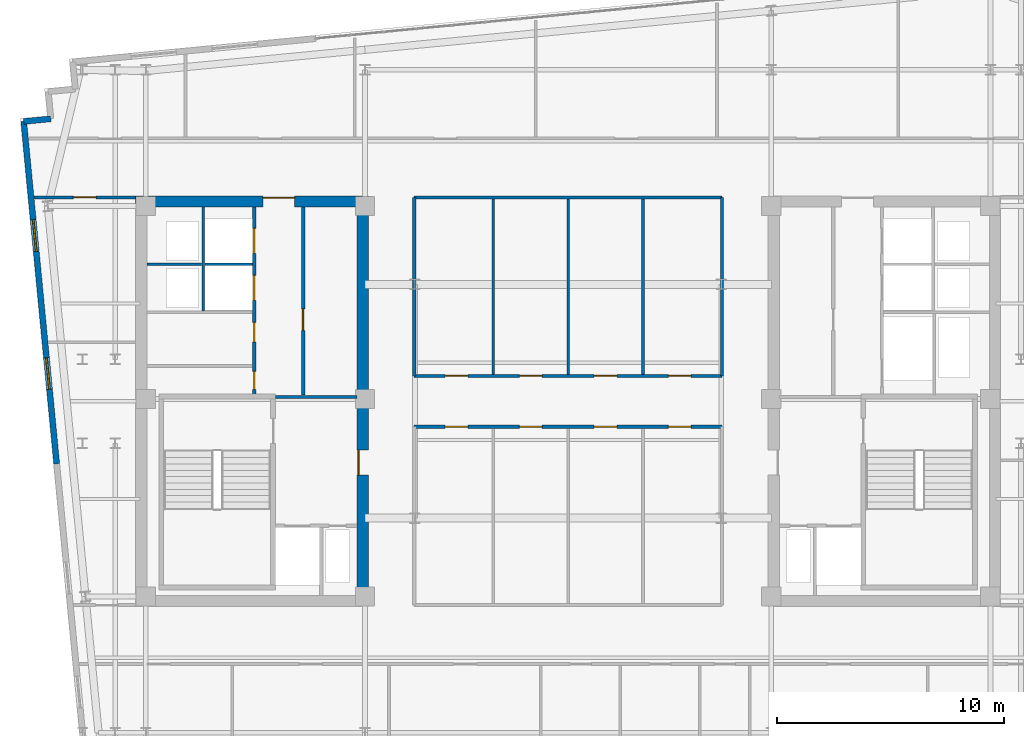
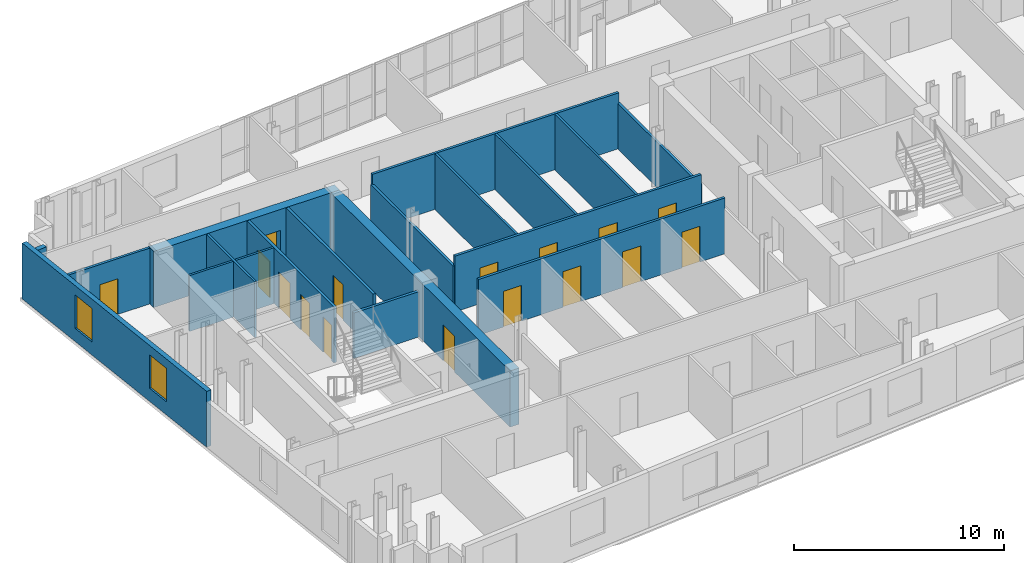
# One storey, part 7 of 11: 19 walls, 16 doors, 2 windows, 18 openings.
"""IFC4 building model written with IfcOpenShell, lengths in metres."""

import ifcopenshell
import ifcopenshell.guid

model = None  # the IFC model being written
_history = None  # IfcOwnerHistory: only IFC2X3 demands one
_inside = {}  # id of a spatial element -> (the spatial element, [elements in it])
_under = {}  # id of a project, library or spatial element -> (it, [spatial elements below it])
_declared = {}  # id of a project -> (the project, [libraries it declares])
_typed = {}  # id of a type object -> (the type object, [elements of that type])
_made_of = {}  # id of a material, layer set ... -> (it, [elements and type objects made of it])


def new_model(schema):
    """Start an empty IFC model of exactly this schema.

    Asked for "IFC4X3", IfcOpenShell would pick the latest addendum, in which some entities
    have other attributes; the version numbers below select the first issue.
    IFC2X3 requires an IfcOwnerHistory on every rooted entity: one is made here for all.
    """
    global model, _history
    if schema == "IFC4X3":
        model = ifcopenshell.file(schema_version=(4, 3, 0, 0))
    else:
        model = ifcopenshell.file(schema=schema)
    _inside.clear()
    _under.clear()
    _declared.clear()
    _typed.clear()
    _made_of.clear()
    _history = None
    if model.schema == "IFC2X3":
        org = make("IfcOrganization", Name="unknown")
        user = make(
            "IfcPersonAndOrganization",
            ThePerson=make("IfcPerson", FamilyName="unknown"),
            TheOrganization=org,
        )
        app = make(
            "IfcApplication",
            ApplicationDeveloper=org,
            Version="unknown",
            ApplicationFullName="unknown",
            ApplicationIdentifier="unknown",
        )
        _history = make(
            "IfcOwnerHistory",
            OwningUser=user,
            OwningApplication=app,
            ChangeAction="ADDED",
            CreationDate=0,
        )
    return model


def make(cls, **values):
    """One entity of the class cls with the attributes given. An attribute that is None is left unset."""
    return model.create_entity(
        cls, **{name: value for name, value in values.items() if value is not None}
    )


def rooted(cls, **values):
    """An entity with a GlobalId (a new one), such as an element, a storey or a relation."""
    return make(cls, GlobalId=ifcopenshell.guid.new(), OwnerHistory=_history, **values)


def si_unit(unit_type, name, prefix=None):
    """IfcSIUnit, for example si_unit("LENGTHUNIT", "METRE", prefix="MILLI")."""
    return make("IfcSIUnit", UnitType=unit_type, Prefix=prefix, Name=name)


def assignment(units):
    """IfcUnitAssignment: the units of a project."""
    return None if units is None else make("IfcUnitAssignment", Units=units)


def point(xyz):
    """IfcCartesianPoint."""
    return None if xyz is None else make("IfcCartesianPoint", Coordinates=xyz)


def direction(xyz):
    """IfcDirection."""
    return None if xyz is None else make("IfcDirection", DirectionRatios=xyz)


def frame(location, z_axis=None, x_axis=None):
    """IfcAxis2Placement3D, a coordinate frame: its origin and axes. An axis left out is left unset."""
    return make(
        "IfcAxis2Placement3D",
        Location=point(location),
        Axis=direction(z_axis),
        RefDirection=direction(x_axis),
    )


def frame_2d(location, x_axis=None):
    """IfcAxis2Placement2D, a coordinate frame in the plane: its origin and x axis."""
    return make(
        "IfcAxis2Placement2D", Location=point(location), RefDirection=direction(x_axis)
    )


def origin():
    """The frame at (0, 0, 0) with its axes left unset."""
    return frame((0.0, 0.0, 0.0))


def place(relative_to, where):
    """IfcLocalPlacement: puts the frame where relative to a parent placement (None: the world)."""
    return make(
        "IfcLocalPlacement", PlacementRelTo=relative_to, RelativePlacement=where
    )


def context(
    kind, dimensions, precision=None, world=None, true_north=None, identifier=None
):
    """IfcGeometricRepresentationContext, for example the 3D "Model" context."""
    return make(
        "IfcGeometricRepresentationContext",
        ContextIdentifier=identifier,
        ContextType=kind,
        CoordinateSpaceDimension=dimensions,
        Precision=precision,
        WorldCoordinateSystem=world,
        TrueNorth=true_north,
    )


def subcontext(parent, identifier, kind, view, scale=None):
    """IfcGeometricRepresentationSubContext, for example "Body" below "Model"."""
    return make(
        "IfcGeometricRepresentationSubContext",
        ContextIdentifier=identifier,
        ContextType=kind,
        ParentContext=parent,
        TargetScale=scale,
        TargetView=view,
    )


def project(units=None, contexts=None):
    """IfcProject with its units and contexts."""
    return rooted(
        "IfcProject",
        Name="project",
        RepresentationContexts=contexts,
        UnitsInContext=assignment(units),
    )


def spatial(cls, under=None, at=None, **own):
    """A site, building, storey or space (cls), placed at a placement, below another one or the project."""
    s = rooted(cls, ObjectPlacement=at, **own)
    if under is not None:
        _under.setdefault(under.id(), (under, []))[1].append(s)
    return s


def profile(cls, at=None, kind="AREA", **sizes):
    """A parametric profile (cls). Its sizes go by their IFC names, for example OverallWidth=200.0."""
    return make(cls, ProfileType=kind, Position=at, **sizes)


def rectangle(**sizes):
    """IfcRectangleProfileDef."""
    return profile("IfcRectangleProfileDef", **sizes)


def extrude(swept, where, along, depth):
    """IfcExtrudedAreaSolid: the profile swept, set in the frame where, extruded along a direction by depth."""
    return make(
        "IfcExtrudedAreaSolid",
        SweptArea=swept,
        Position=where,
        ExtrudedDirection=direction(along),
        Depth=depth,
    )


def shape(context_of_items, identifier, shape_type, items):
    """IfcShapeRepresentation: the items that make up one representation, for example the "Body"."""
    return make(
        "IfcShapeRepresentation",
        ContextOfItems=context_of_items,
        RepresentationIdentifier=identifier,
        RepresentationType=shape_type,
        Items=items,
    )


def material(Name=None, Category=None):
    """IfcMaterial."""
    return make("IfcMaterial", Name=Name, Category=Category)


def layer(
    of_material, thickness, ventilated=None, Name=None, Category=None, Priority=None
):
    """IfcMaterialLayer: one layer of a wall or slab, of a material (None: an air gap)."""
    return make(
        "IfcMaterialLayer",
        Material=of_material,
        LayerThickness=thickness,
        IsVentilated=ventilated,
        Name=Name,
        Category=Category,
        Priority=Priority,
    )


def layer_set(layers, Name=None):
    """IfcMaterialLayerSet."""
    return make("IfcMaterialLayerSet", MaterialLayers=layers, LayerSetName=Name)


def made_of(thing, what):
    """Note that an element or type object is made of a material, layer set ...; save() writes the relation."""
    if what is not None:
        _made_of.setdefault(what.id(), (what, []))[1].append(thing)
    return thing


def type_object(cls, material=None, **own):
    """A type object (cls), such as IfcWallType, which elements share."""
    return made_of(rooted(cls, **own), material)


def element(
    cls,
    number,
    at=None,
    inside=None,
    cuts=None,
    type_object=None,
    material=None,
    context=None,
    identifier="Body",
    shape_type=None,
    held_by="IfcProductDefinitionShape",
    body=None,
    shapes=None,
    **own,
):
    """One element of the class cls, such as IfcWall. Its Tag is "e" and its number.

    at: its placement. inside: the storey or other place that contains it. cuts: it is an
    opening in that element (IfcRelVoidsElement). A single representation is given by context,
    identifier, shape_type and body (its items); several are given by shapes. held_by: the class
    of the entity that holds the representations. save() writes the other relations.
    """
    e = rooted(cls, Tag="e%d" % number, ObjectPlacement=at, **own)
    if body is not None:
        shapes = [shape(context, identifier, shape_type, body)]
    if shapes is not None:
        e.Representation = make(held_by, Representations=shapes)
    if inside is not None:
        _inside.setdefault(inside.id(), (inside, []))[1].append(e)
    if cuts is not None:
        rooted(
            "IfcRelVoidsElement", RelatingBuildingElement=cuts, RelatedOpeningElement=e
        )
    if type_object is not None:
        _typed.setdefault(type_object.id(), (type_object, []))[1].append(e)
    return made_of(e, material)


def fill(opening, filler):
    """IfcRelFillsElement: the door or window that sits in an opening."""
    return rooted(
        "IfcRelFillsElement",
        RelatingOpeningElement=opening,
        RelatedBuildingElement=filler,
    )


def aggregate(whole, parts):
    """IfcRelAggregates: a whole, such as a stair, and the parts it consists of."""
    return rooted("IfcRelAggregates", RelatingObject=whole, RelatedObjects=parts)


def save(model, path):
    """Write the relations noted so far, then the file.

    IfcRelAggregates (storeys below a building ...), IfcRelContainedInSpatialStructure (elements
    in a storey), IfcRelDefinesByType, IfcRelAssociatesMaterial and IfcRelDeclares: one each for
    every whole, place, type object, material and project.
    """
    for whole, parts in _under.values():
        aggregate(whole, parts)
    for where, things in _inside.values():
        rooted(
            "IfcRelContainedInSpatialStructure",
            RelatedElements=things,
            RelatingStructure=where,
        )
    for kind, things in _typed.values():
        rooted("IfcRelDefinesByType", RelatedObjects=things, RelatingType=kind)
    for what, things in _made_of.values():
        rooted("IfcRelAssociatesMaterial", RelatedObjects=things, RelatingMaterial=what)
    for by, libraries in _declared.values():
        rooted("IfcRelDeclares", RelatingContext=by, RelatedDefinitions=libraries)
    model.write(path)


model = new_model("IFC4")

# Units and contexts
model_context = context("Model", 3, precision=1e-05, world=origin(), true_north=direction((0.0, 1.0)))
body_context = subcontext(model_context, "Body", "Model", "MODEL_VIEW")
ifc_project = project(units=[si_unit("LENGTHUNIT", "METRE"), si_unit("AREAUNIT", "SQUARE_METRE"), si_unit("VOLUMEUNIT", "CUBIC_METRE"), si_unit("PLANEANGLEUNIT", "RADIAN"), si_unit("MASSUNIT", "GRAM", prefix="KILO")], contexts=[model_context])

# Site, building, storey
site_placement = place(None, origin())
site = spatial("IfcSite", under=ifc_project, at=site_placement, CompositionType="ELEMENT")
building_placement = place(site_placement, origin())
building = spatial("IfcBuilding", under=site, at=building_placement, Name="Velakula Bourse", CompositionType="ELEMENT")
storey_placement = place(building_placement, frame((0.0, 0.0, 279.300048828125)))
storey = spatial("IfcBuildingStorey", under=building, at=storey_placement, Name="L76", CompositionType="ELEMENT", Elevation=279.300048828125)

# Wall, opening, door
ifc_material_1 = material(Name="Concrete M50 (fck 50 MPa)", Category="concrete")
ifc_layer_1 = layer(ifc_material_1, 0.5, Name="Concrete M50 (fck 50 MPa)", Category="concrete")
ifc_layer_set_1 = layer_set([ifc_layer_1], Name="Concrete M50 (fck 50 MPa)")
wall_type_1 = type_object("IfcWallType", Name="WL-CORE-500", PredefinedType="SHEAR", material=ifc_layer_set_1)
wall_1_placement = place(storey_placement, frame((-19.050048828125, 8.800048828125, 0.0), z_axis=(0.0, 0.0, 1.0), x_axis=(1.0, 0.0, 0.0)))
wall_1 = element("IfcWall", 1, at=wall_1_placement, inside=storey, type_object=wall_type_1, Name="L76 Core W Shear Wall N", PredefinedType="SHEAR", context=body_context, shape_type="SweptSolid", body=[
    extrude(rectangle(XDim=10.25, YDim=0.5, at=frame_2d((5.125, 0.0))), origin(), (0.0, 0.0, 1.0), 3.27001953125),
])
opening_1_placement = place(wall_1_placement, frame((5.60009765625, 0.0, 0.0)))
opening_1 = element("IfcOpeningElement", 2, at=opening_1_placement, cuts=wall_1, Name="Opening D-LLW", PredefinedType="OPENING", context=body_context, shape_type="SweptSolid", body=[
    extrude(rectangle(XDim=1.39990234375, YDim=2.050048828125, at=frame_2d((0.699951171875, 1.02490234375))), frame((0.0, 0.260009765625, 0.0), z_axis=(0.0, -1.0, 0.0), x_axis=(1.0, 0.0, 0.0)), (0.0, 0.0, 1.0), 0.52001953125),
])
ifc_material_2 = material(Name="Fire-rated hardwood flush architectural door", Category="wood")
door_type_1 = type_object("IfcDoorType", Name="DR-DBL-FD60-1400", OperationType="DOUBLE_DOOR_SINGLE_SWING", PredefinedType="DOOR", material=ifc_material_2)
door_1_placement = place(opening_1_placement, origin())
door_1 = element("IfcDoor", 3, at=door_1_placement, inside=storey, type_object=door_type_1, Name="L76 Core W Lift Lobby Corridor Double Door", OperationType="DOUBLE_DOOR_SINGLE_SWING", OverallHeight=2.050048828125, OverallWidth=1.39990234375, PredefinedType="DOOR", context=body_context, shape_type="SweptSolid", body=[
    extrude(rectangle(XDim=1.39990234375, YDim=2.050048828125, at=frame_2d((0.699951171875, 1.02490234375))), frame((0.0, 0.19482421875, 0.0), z_axis=(0.0, -1.0, 0.0), x_axis=(1.0, 0.0, 0.0)), (0.0, 0.0, 1.0), 0.050048828125),
])
fill(opening_1, door_1)

wall_2_placement = place(storey_placement, frame((-9.050048828125, -8.550048828125, 0.0), z_axis=(0.0, 0.0, 1.0), x_axis=(0.0, 1.0, 0.0)))
wall_2 = element("IfcWall", 4, at=wall_2_placement, inside=storey, type_object=wall_type_1, Name="L76 Core W Shear Wall E", PredefinedType="SHEAR", context=body_context, shape_type="SweptSolid", body=[
    extrude(rectangle(XDim=17.10009765625, YDim=0.5, at=frame_2d((8.550048828125, 0.0))), origin(), (0.0, 0.0, 1.0), 3.27001953125),
])
opening_2_placement = place(wall_2_placement, frame((5.300048828125, 0.0, 0.0)))
opening_2 = element("IfcOpeningElement", 5, at=opening_2_placement, cuts=wall_2, Name="Opening D-FLW", PredefinedType="OPENING", context=body_context, shape_type="SweptSolid", body=[
    extrude(rectangle(XDim=1.10009765625, YDim=2.080078125, at=frame_2d((0.550048828125, 1.0400390625))), frame((0.0, 0.260009765625, 0.0), z_axis=(0.0, -1.0, 0.0), x_axis=(1.0, 0.0, 0.0)), (0.0, 0.0, 1.0), 0.52001953125),
])
ifc_material_3 = material(Name="Galvanised painted hollow steel fire door", Category="steel")
door_type_2 = type_object("IfcDoorType", Name="DR-FD120-1100", OperationType="NOTDEFINED", PredefinedType="DOOR", material=ifc_material_3)
door_2_placement = place(opening_2_placement, origin())
door_2 = element("IfcDoor", 6, at=door_2_placement, inside=storey, type_object=door_type_2, Name="L76 Firefighting Lobby W Corridor Fire Door", OperationType="SINGLE_SWING_LEFT", OverallHeight=2.080078125, OverallWidth=1.10009765625, PredefinedType="DOOR", context=body_context, shape_type="SweptSolid", body=[
    extrude(rectangle(XDim=1.10009765625, YDim=2.080078125, at=frame_2d((0.550048828125, 1.0400390625))), frame((0.0, 0.205078125, 0.0), z_axis=(0.0, -1.0, 0.0), x_axis=(1.0, 0.0, 0.0)), (0.0, 0.0, 1.0), 0.050048828125),
])
fill(opening_2, door_2)

# Wall, openings, windows
ifc_material_4 = material(Name="Buff kilned clay facing brick masonry", Category="masonry")
ifc_layer_2 = layer(ifc_material_4, 0.260009765625, Name="Buff kilned clay facing brick masonry", Category="masonry")
ifc_layer_set_2 = layer_set([ifc_layer_2], Name="Buff kilned clay facing brick masonry")
wall_type_2 = type_object("IfcWallType", Name="WL-EXT-BRK-260", PredefinedType="STANDARD", material=ifc_layer_set_2)
wall_3_placement = place(storey_placement, frame((-22.52734375, -2.75439453125, 0.0), z_axis=(0.0, 0.0, 1.0), x_axis=(-0.095850890337, 0.995395703638, 0.0)))
wall_3 = element("IfcWall", 7, at=wall_3_placement, inside=storey, type_object=wall_type_2, Name="L76 W Brick End Wall W2", PredefinedType="STANDARD", context=body_context, shape_type="SweptSolid", body=[
    extrude(rectangle(XDim=15.150146484375, YDim=0.260009765625, at=frame_2d((7.5751953125, 0.0))), origin(), (0.0, 0.0, 1.0), 3.25),
])
opening_3_placement = place(wall_3_placement, frame((3.300048828125, 0.0, 0.760009765625)))
opening_3 = element("IfcOpeningElement", 8, at=opening_3_placement, cuts=wall_3, Name="Opening W-03", PredefinedType="OPENING", context=body_context, shape_type="SweptSolid", body=[
    extrude(rectangle(XDim=1.39990234375, YDim=1.949951171875, at=frame_2d((0.699951171875, 0.97509765625))), frame((0.0, 0.139892578125, 0.0), z_axis=(0.0, -1.0, 0.0), x_axis=(1.0, 0.0, 0.0)), (0.0, 0.0, 1.0), 0.280029296875),
])
opening_4_placement = place(wall_3_placement, frame((9.39990234375, 0.0, 0.760009765625)))
opening_4 = element("IfcOpeningElement", 9, at=opening_4_placement, cuts=wall_3, Name="Opening W-03", PredefinedType="OPENING", context=body_context, shape_type="SweptSolid", body=[
    extrude(rectangle(XDim=1.39990234375, YDim=1.949951171875, at=frame_2d((0.699951171875, 0.97509765625))), frame((0.0, 0.139892578125, 0.0), z_axis=(0.0, -1.0, 0.0), x_axis=(1.0, 0.0, 0.0)), (0.0, 0.0, 1.0), 0.280029296875),
])
ifc_material_5 = material(Name="Double-glazed solar-control Low-E glass", Category="glass")
window_type = type_object("IfcWindowType", Name="WIN-TWR-1400x2100", PartitioningType="SINGLE_PANEL", PredefinedType="WINDOW", material=ifc_material_5)
window_1_placement = place(opening_3_placement, origin())
window_1 = element("IfcWindow", 10, at=window_1_placement, inside=storey, type_object=window_type, Name="L76 Deep-Set Recessed Window 1", OverallHeight=1.949951171875, OverallWidth=1.39990234375, PartitioningType="SINGLE_PANEL", PredefinedType="WINDOW", context=body_context, shape_type="SweptSolid", body=[
    extrude(rectangle(XDim=1.39990234375, YDim=1.949951171875, at=frame_2d((0.699951171875, 0.97509765625))), frame((0.0, 0.030029296875, 0.0), z_axis=(0.0, -1.0, 0.0), x_axis=(1.0, 0.0, 0.0)), (0.0, 0.0, 1.0), 0.06005859375),
])
fill(opening_3, window_1)
window_2_placement = place(opening_4_placement, origin())
window_2 = element("IfcWindow", 11, at=window_2_placement, inside=storey, type_object=window_type, Name="L76 Deep-Set Recessed Window 2", OverallHeight=1.949951171875, OverallWidth=1.39990234375, PartitioningType="SINGLE_PANEL", PredefinedType="WINDOW", context=body_context, shape_type="SweptSolid", body=[
    extrude(rectangle(XDim=1.39990234375, YDim=1.949951171875, at=frame_2d((0.699951171875, 0.97509765625))), frame((0.0, 0.030029296875, 0.0), z_axis=(0.0, -1.0, 0.0), x_axis=(1.0, 0.0, 0.0)), (0.0, 0.0, 1.0), 0.06005859375),
])
fill(opening_4, window_2)

# Walls
wall_4_placement = place(storey_placement, frame((-22.784912109375, 12.44091796875, 0.0), z_axis=(0.0, 0.0, 1.0), x_axis=(-0.995398960025, -0.095817067274, 0.0)))
element("IfcWall", 12, at=wall_4_placement, inside=storey, type_object=wall_type_2, Name="L76 Serrated Corner Brick Wall NW-4", PredefinedType="STANDARD", context=body_context, shape_type="SweptSolid", body=[
    extrude(rectangle(XDim=1.2001953125, YDim=0.260009765625, at=frame_2d((0.60009765625, 0.0))), origin(), (0.0, 0.0, 1.0), 2.56494140625),
])
ifc_material_6 = material(Name="Fire-rated double-layer gypsum drywall partition", Category="gypsum")
ifc_layer_3 = layer(ifc_material_6, 0.1201171875, Name="Fire-rated double-layer gypsum drywall partition", Category="gypsum")
ifc_layer_set_3 = layer_set([ifc_layer_3], Name="Fire-rated double-layer gypsum drywall partition")
wall_type_3 = type_object("IfcWallType", Name="WL-PART-120", PredefinedType="STANDARD", material=ifc_layer_set_3)
wall_5_placement = place(storey_placement, frame((-18.550048828125, 6.030029296875, 0.0), z_axis=(0.0, 0.0, 1.0), x_axis=(1.0, 0.0, 0.0)))
element("IfcWall", 13, at=wall_5_placement, inside=storey, type_object=wall_type_3, Name="L76 Interior Partition WL-CRW-L76-RIS-MID", PredefinedType="STANDARD", context=body_context, shape_type="SweptSolid", body=[
    extrude(rectangle(XDim=2.400146484375, YDim=0.1201171875, at=frame_2d((1.2001953125, 0.0))), origin(), (0.0, 0.0, 1.0), 3.25),
])
wall_6_placement = place(storey_placement, frame((-16.074951171875, 3.97998046875, 0.0), z_axis=(0.0, 0.0, 1.0), x_axis=(0.0, 1.0, 0.0)))
element("IfcWall", 14, at=wall_6_placement, inside=storey, type_object=wall_type_3, Name="L76 Interior Partition WL-CRW-L76-RIS-F", PredefinedType="STANDARD", context=body_context, shape_type="SweptSolid", body=[
    extrude(rectangle(XDim=4.570068359375, YDim=0.1201171875, at=frame_2d((2.28515625, 0.0))), origin(), (0.0, 0.0, 1.0), 3.25),
])
wall_7_placement = place(storey_placement, frame((-16.0, 6.030029296875, 0.0), z_axis=(0.0, 0.0, 1.0), x_axis=(1.0, 0.0, 0.0)))
element("IfcWall", 15, at=wall_7_placement, inside=storey, type_object=wall_type_3, Name="L76 Interior Partition WL-CRW-L76-HI-DIV", PredefinedType="STANDARD", context=body_context, shape_type="SweptSolid", body=[
    extrude(rectangle(XDim=2.10009765625, YDim=0.1201171875, at=frame_2d((1.050048828125, 0.0))), origin(), (0.0, 0.0, 1.0), 3.25),
])

# Wall, opening, door
ifc_layer_4 = layer(ifc_material_6, 0.139892578125, Name="Fire-rated double-layer gypsum drywall partition", Category="gypsum")
ifc_layer_set_4 = layer_set([ifc_layer_4], Name="Fire-rated double-layer gypsum drywall partition")
wall_type_4 = type_object("IfcWallType", Name="WL-PART-140", PredefinedType="STANDARD", material=ifc_layer_set_4)
wall_8_placement = place(storey_placement, frame((-23.526611328125, 8.97998046875, 0.0), z_axis=(0.0, 0.0, 1.0), x_axis=(1.0, 0.0, 0.0)))
wall_8 = element("IfcWall", 16, at=wall_8_placement, inside=storey, type_object=wall_type_4, Name="L76 Interior Partition WL-INT-L76-W-NC", PredefinedType="STANDARD", context=body_context, shape_type="SweptSolid", body=[
    extrude(rectangle(XDim=4.4765625, YDim=0.139892578125, at=frame_2d((2.23828125, 0.0))), origin(), (0.0, 0.0, 1.0), 3.25),
])
opening_5_placement = place(wall_8_placement, frame((1.73828125, 0.0, 0.0)))
opening_5 = element("IfcOpeningElement", 17, at=opening_5_placement, cuts=wall_8, Name="Opening D-OF1", PredefinedType="OPENING", context=body_context, shape_type="SweptSolid", body=[
    extrude(rectangle(XDim=1.0, YDim=2.080078125, at=frame_2d((0.5, 1.0400390625))), frame((0.0, 0.079833984375, 0.0), z_axis=(0.0, -1.0, 0.0), x_axis=(1.0, 0.0, 0.0)), (0.0, 0.0, 1.0), 0.159912109375),
])
door_type_3 = type_object("IfcDoorType", Name="DR-OFF-1000", OperationType="NOTDEFINED", PredefinedType="DOOR", material=ifc_material_2)
door_3_placement = place(opening_5_placement, origin())
door_3 = element("IfcDoor", 18, at=door_3_placement, inside=storey, type_object=door_type_3, Name="L76 Broadcast Control Office Door", OperationType="SINGLE_SWING_LEFT", OverallHeight=2.080078125, OverallWidth=1.0, PredefinedType="DOOR", context=body_context, shape_type="SweptSolid", body=[
    extrude(rectangle(XDim=1.0, YDim=2.080078125, at=frame_2d((0.5, 1.0400390625))), frame((0.0, 0.02490234375, 0.0), z_axis=(0.0, -1.0, 0.0), x_axis=(1.0, 0.0, 0.0)), (0.0, 0.0, 1.0), 0.050048828125),
])
fill(opening_5, door_3)

# Wall, openings, doors
wall_9_placement = place(storey_placement, frame((-6.780029296875, 1.1201171875, 0.0), z_axis=(0.0, 0.0, 1.0), x_axis=(1.0, 0.0, 0.0)))
wall_9 = element("IfcWall", 19, at=wall_9_placement, inside=storey, type_object=wall_type_4, Name="L76 Interior Partition WL-INT-L76-MN-IN", PredefinedType="STANDARD", context=body_context, shape_type="SweptSolid", body=[
    extrude(rectangle(XDim=13.56005859375, YDim=0.139892578125, at=frame_2d((6.780029296875, 0.0))), origin(), (0.0, 0.0, 1.0), 3.25),
])
opening_6_placement = place(wall_9_placement, frame((1.365966796875, 0.0, 0.0)))
opening_6 = element("IfcOpeningElement", 20, at=opening_6_placement, cuts=wall_9, Name="Opening D-OF1", PredefinedType="OPENING", context=body_context, shape_type="SweptSolid", body=[
    extrude(rectangle(XDim=1.0, YDim=2.080078125, at=frame_2d((0.5, 1.0400390625))), frame((0.0, 0.079833984375, 0.0), z_axis=(0.0, -1.0, 0.0), x_axis=(1.0, 0.0, 0.0)), (0.0, 0.0, 1.0), 0.159912109375),
])
opening_7_placement = place(wall_9_placement, frame((4.6298828125, 0.0, 0.0)))
opening_7 = element("IfcOpeningElement", 21, at=opening_7_placement, cuts=wall_9, Name="Opening D-OF1", PredefinedType="OPENING", context=body_context, shape_type="SweptSolid", body=[
    extrude(rectangle(XDim=1.0, YDim=2.080078125, at=frame_2d((0.5, 1.0400390625))), frame((0.0, 0.079833984375, 0.0), z_axis=(0.0, -1.0, 0.0), x_axis=(1.0, 0.0, 0.0)), (0.0, 0.0, 1.0), 0.159912109375),
])
opening_8_placement = place(wall_9_placement, frame((7.929931640625, 0.0, 0.0)))
opening_8 = element("IfcOpeningElement", 22, at=opening_8_placement, cuts=wall_9, Name="Opening D-OF1", PredefinedType="OPENING", context=body_context, shape_type="SweptSolid", body=[
    extrude(rectangle(XDim=1.0, YDim=2.080078125, at=frame_2d((0.5, 1.0400390625))), frame((0.0, 0.079833984375, 0.0), z_axis=(0.0, -1.0, 0.0), x_axis=(1.0, 0.0, 0.0)), (0.0, 0.0, 1.0), 0.159912109375),
])
opening_9_placement = place(wall_9_placement, frame((11.194091796875, 0.0, 0.0)))
opening_9 = element("IfcOpeningElement", 23, at=opening_9_placement, cuts=wall_9, Name="Opening D-OF1", PredefinedType="OPENING", context=body_context, shape_type="SweptSolid", body=[
    extrude(rectangle(XDim=1.0, YDim=2.080078125, at=frame_2d((0.5, 1.0400390625))), frame((0.0, 0.079833984375, 0.0), z_axis=(0.0, -1.0, 0.0), x_axis=(1.0, 0.0, 0.0)), (0.0, 0.0, 1.0), 0.159912109375),
])
door_4_placement = place(opening_6_placement, origin())
door_4 = element("IfcDoor", 24, at=door_4_placement, inside=storey, type_object=door_type_3, Name="L76 Chief Risk Officer Chamber Door", OperationType="SINGLE_SWING_LEFT", OverallHeight=2.080078125, OverallWidth=1.0, PredefinedType="DOOR", context=body_context, shape_type="SweptSolid", body=[
    extrude(rectangle(XDim=1.0, YDim=2.080078125, at=frame_2d((0.5, 1.0400390625))), frame((0.0, 0.02490234375, 0.0), z_axis=(0.0, -1.0, 0.0), x_axis=(1.0, 0.0, 0.0)), (0.0, 0.0, 1.0), 0.050048828125),
])
fill(opening_6, door_4)
door_5_placement = place(opening_7_placement, origin())
door_5 = element("IfcDoor", 25, at=door_5_placement, inside=storey, type_object=door_type_3, Name="L76 Company Secretary Office Door", OperationType="SINGLE_SWING_RIGHT", OverallHeight=2.080078125, OverallWidth=1.0, PredefinedType="DOOR", context=body_context, shape_type="SweptSolid", body=[
    extrude(rectangle(XDim=1.0, YDim=2.080078125, at=frame_2d((0.5, 1.0400390625))), frame((0.0, 0.02490234375, 0.0), z_axis=(0.0, -1.0, 0.0), x_axis=(1.0, 0.0, 0.0)), (0.0, 0.0, 1.0), 0.050048828125),
])
fill(opening_7, door_5)
door_6_placement = place(opening_8_placement, origin())
door_6 = element("IfcDoor", 26, at=door_6_placement, inside=storey, type_object=door_type_3, Name="L76 General Counsel Office Door", OperationType="SINGLE_SWING_LEFT", OverallHeight=2.080078125, OverallWidth=1.0, PredefinedType="DOOR", context=body_context, shape_type="SweptSolid", body=[
    extrude(rectangle(XDim=1.0, YDim=2.080078125, at=frame_2d((0.5, 1.0400390625))), frame((0.0, 0.02490234375, 0.0), z_axis=(0.0, -1.0, 0.0), x_axis=(1.0, 0.0, 0.0)), (0.0, 0.0, 1.0), 0.050048828125),
])
fill(opening_8, door_6)
door_7_placement = place(opening_9_placement, origin())
door_7 = element("IfcDoor", 27, at=door_7_placement, inside=storey, type_object=door_type_3, Name="L76 Broadcast Control Office Door", OperationType="SINGLE_SWING_RIGHT", OverallHeight=2.080078125, OverallWidth=1.0, PredefinedType="DOOR", context=body_context, shape_type="SweptSolid", body=[
    extrude(rectangle(XDim=1.0, YDim=2.080078125, at=frame_2d((0.5, 1.0400390625))), frame((0.0, 0.02490234375, 0.0), z_axis=(0.0, -1.0, 0.0), x_axis=(1.0, 0.0, 0.0)), (0.0, 0.0, 1.0), 0.050048828125),
])
fill(opening_9, door_7)

# Walls
wall_10_placement = place(storey_placement, frame((-6.780029296875, 8.97998046875, 0.0), z_axis=(0.0, 0.0, 1.0), x_axis=(1.0, 0.0, 0.0)))
element("IfcWall", 28, at=wall_10_placement, inside=storey, type_object=wall_type_4, Name="L76 Interior Partition WL-INT-L76-MN-OUT", PredefinedType="STANDARD", context=body_context, shape_type="SweptSolid", body=[
    extrude(rectangle(XDim=13.56005859375, YDim=0.139892578125, at=frame_2d((6.780029296875, 0.0))), origin(), (0.0, 0.0, 1.0), 3.25),
])
for number, where, z_axis, x_axis, name in (
    (29, (-6.780029296875, 1.1201171875, 0.0), (0.0, 0.0, 1.0), (0.0, 1.0, 0.0), "L76 Interior Partition WL-INT-L76-MN-W"),
    (30, (6.780029296875, 1.1201171875, 0.0), (0.0, 0.0, 1.0), (0.0, 1.0, 0.0), "L76 Interior Partition WL-INT-L76-MN-E"),
):
    element("IfcWall", number, at=place(storey_placement, frame(where, z_axis=z_axis, x_axis=x_axis)), inside=storey, type_object=wall_type_4, Name=name, PredefinedType="STANDARD", context=body_context, shape_type="SweptSolid", body=[
        extrude(rectangle(XDim=7.85986328125, YDim=0.139892578125, at=frame_2d((3.929931640625, 0.0))), origin(), (0.0, 0.0, 1.0), 2.64501953125),
    ])
for number, where, z_axis, x_axis, name in (
    (31, (-3.300048828125, 1.18994140625, 0.0), (0.0, 0.0, 1.0), (0.0, 1.0, 0.0), "L76 Interior Partition WL-INT-L76-MN-V1"),
    (32, (0.0, 1.18994140625, 0.0), (0.0, 0.0, 1.0), (0.0, 1.0, 0.0), "L76 Interior Partition WL-INT-L76-MN-V2"),
    (33, (3.300048828125, 1.18994140625, 0.0), (0.0, 0.0, 1.0), (0.0, 1.0, 0.0), "L76 Interior Partition WL-INT-L76-MN-V3"),
):
    element("IfcWall", number, at=place(storey_placement, frame(where, z_axis=z_axis, x_axis=x_axis)), inside=storey, type_object=wall_type_4, Name=name, PredefinedType="STANDARD", context=body_context, shape_type="SweptSolid", body=[
        extrude(rectangle(XDim=7.719970703125, YDim=0.1201171875, at=frame_2d((3.85986328125, 0.0))), origin(), (0.0, 0.0, 1.0), 3.25),
    ])

# Wall, openings, doors
wall_11_placement = place(storey_placement, frame((-6.780029296875, -1.1201171875, 0.0), z_axis=(0.0, 0.0, 1.0), x_axis=(1.0, 0.0, 0.0)))
wall_11 = element("IfcWall", 34, at=wall_11_placement, inside=storey, type_object=wall_type_4, Name="L76 Interior Partition WL-INT-L76-MS-IN", PredefinedType="STANDARD", context=body_context, shape_type="SweptSolid", body=[
    extrude(rectangle(XDim=13.56005859375, YDim=0.139892578125, at=frame_2d((6.780029296875, 0.0))), origin(), (0.0, 0.0, 1.0), 3.25),
])
opening_10_placement = place(wall_11_placement, frame((1.365966796875, 0.0, 0.0)))
opening_10 = element("IfcOpeningElement", 35, at=opening_10_placement, cuts=wall_11, Name="Opening D-OF1", PredefinedType="OPENING", context=body_context, shape_type="SweptSolid", body=[
    extrude(rectangle(XDim=1.0, YDim=2.080078125, at=frame_2d((0.5, 1.0400390625))), frame((0.0, 0.079833984375, 0.0), z_axis=(0.0, -1.0, 0.0), x_axis=(1.0, 0.0, 0.0)), (0.0, 0.0, 1.0), 0.159912109375),
])
opening_11_placement = place(wall_11_placement, frame((4.6298828125, 0.0, 0.0)))
opening_11 = element("IfcOpeningElement", 36, at=opening_11_placement, cuts=wall_11, Name="Opening D-OF1", PredefinedType="OPENING", context=body_context, shape_type="SweptSolid", body=[
    extrude(rectangle(XDim=1.0, YDim=2.080078125, at=frame_2d((0.5, 1.0400390625))), frame((0.0, 0.079833984375, 0.0), z_axis=(0.0, -1.0, 0.0), x_axis=(1.0, 0.0, 0.0)), (0.0, 0.0, 1.0), 0.159912109375),
])
opening_12_placement = place(wall_11_placement, frame((7.929931640625, 0.0, 0.0)))
opening_12 = element("IfcOpeningElement", 37, at=opening_12_placement, cuts=wall_11, Name="Opening D-OF1", PredefinedType="OPENING", context=body_context, shape_type="SweptSolid", body=[
    extrude(rectangle(XDim=1.0, YDim=2.080078125, at=frame_2d((0.5, 1.0400390625))), frame((0.0, 0.079833984375, 0.0), z_axis=(0.0, -1.0, 0.0), x_axis=(1.0, 0.0, 0.0)), (0.0, 0.0, 1.0), 0.159912109375),
])
opening_13_placement = place(wall_11_placement, frame((11.194091796875, 0.0, 0.0)))
opening_13 = element("IfcOpeningElement", 38, at=opening_13_placement, cuts=wall_11, Name="Opening D-OF1", PredefinedType="OPENING", context=body_context, shape_type="SweptSolid", body=[
    extrude(rectangle(XDim=1.0, YDim=2.080078125, at=frame_2d((0.5, 1.0400390625))), frame((0.0, 0.079833984375, 0.0), z_axis=(0.0, -1.0, 0.0), x_axis=(1.0, 0.0, 0.0)), (0.0, 0.0, 1.0), 0.159912109375),
])
door_8_placement = place(opening_10_placement, origin())
door_8 = element("IfcDoor", 39, at=door_8_placement, inside=storey, type_object=door_type_3, Name="L76 Broadcast Control Office Door", OperationType="SINGLE_SWING_LEFT", OverallHeight=2.080078125, OverallWidth=1.0, PredefinedType="DOOR", context=body_context, shape_type="SweptSolid", body=[
    extrude(rectangle(XDim=1.0, YDim=2.080078125, at=frame_2d((0.5, 1.0400390625))), frame((0.0, 0.02490234375, 0.0), z_axis=(0.0, -1.0, 0.0), x_axis=(1.0, 0.0, 0.0)), (0.0, 0.0, 1.0), 0.050048828125),
])
fill(opening_10, door_8)
door_9_placement = place(opening_11_placement, origin())
door_9 = element("IfcDoor", 40, at=door_9_placement, inside=storey, type_object=door_type_3, Name="L76 Primary Dealer Office Door", OperationType="SINGLE_SWING_RIGHT", OverallHeight=2.080078125, OverallWidth=1.0, PredefinedType="DOOR", context=body_context, shape_type="SweptSolid", body=[
    extrude(rectangle(XDim=1.0, YDim=2.080078125, at=frame_2d((0.5, 1.0400390625))), frame((0.0, 0.02490234375, 0.0), z_axis=(0.0, -1.0, 0.0), x_axis=(1.0, 0.0, 0.0)), (0.0, 0.0, 1.0), 0.050048828125),
])
fill(opening_11, door_9)
door_10_placement = place(opening_12_placement, origin())
door_10 = element("IfcDoor", 41, at=door_10_placement, inside=storey, type_object=door_type_3, Name="L76 Compliance Review Office Door", OperationType="SINGLE_SWING_LEFT", OverallHeight=2.080078125, OverallWidth=1.0, PredefinedType="DOOR", context=body_context, shape_type="SweptSolid", body=[
    extrude(rectangle(XDim=1.0, YDim=2.080078125, at=frame_2d((0.5, 1.0400390625))), frame((0.0, 0.02490234375, 0.0), z_axis=(0.0, -1.0, 0.0), x_axis=(1.0, 0.0, 0.0)), (0.0, 0.0, 1.0), 0.050048828125),
])
fill(opening_12, door_10)
door_11_placement = place(opening_13_placement, origin())
door_11 = element("IfcDoor", 42, at=door_11_placement, inside=storey, type_object=door_type_3, Name="L76 Margin Control Office Door", OperationType="SINGLE_SWING_RIGHT", OverallHeight=2.080078125, OverallWidth=1.0, PredefinedType="DOOR", context=body_context, shape_type="SweptSolid", body=[
    extrude(rectangle(XDim=1.0, YDim=2.080078125, at=frame_2d((0.5, 1.0400390625))), frame((0.0, 0.02490234375, 0.0), z_axis=(0.0, -1.0, 0.0), x_axis=(1.0, 0.0, 0.0)), (0.0, 0.0, 1.0), 0.050048828125),
])
fill(opening_13, door_11)

# Wall
ifc_material_7 = material(Name="Autoclaved aerated concrete blockwork masonry", Category="masonry")
ifc_layer_5 = layer(ifc_material_7, 0.14990234375, Name="Autoclaved aerated concrete blockwork masonry", Category="masonry")
ifc_layer_set_5 = layer_set([ifc_layer_5], Name="Autoclaved aerated concrete blockwork masonry")
wall_type_5 = type_object("IfcWallType", Name="WL-SHAFT-150", PredefinedType="STANDARD", material=ifc_layer_set_5)
wall_12_placement = place(storey_placement, frame((-12.889892578125, 0.18994140625, 0.0), z_axis=(0.0, 0.0, 1.0), x_axis=(1.0, 0.0, 0.0)))
element("IfcWall", 43, at=wall_12_placement, inside=storey, type_object=wall_type_5, Name="L76 Interior Partition WL-CRW-L76-FF-TOP", PredefinedType="STANDARD", context=body_context, shape_type="SweptSolid", body=[
    extrude(rectangle(XDim=3.58984375, YDim=0.14990234375, at=frame_2d((1.794921875, 0.0))), origin(), (0.0, 0.0, 1.0), 2.64501953125),
])

# Wall, opening, door
wall_13_placement = place(storey_placement, frame((-11.675048828125, 0.27001953125, 0.0), z_axis=(0.0, 0.0, 1.0), x_axis=(0.0, 1.0, 0.0)))
wall_13 = element("IfcWall", 44, at=wall_13_placement, inside=storey, type_object=wall_type_5, Name="L76 Interior Partition WL-CRW-L76-BANK-F", PredefinedType="STANDARD", context=body_context, shape_type="SweptSolid", body=[
    extrude(rectangle(XDim=8.280029296875, YDim=0.14990234375, at=frame_2d((4.14013671875, 0.0))), origin(), (0.0, 0.0, 1.0), 3.25),
])
opening_14_placement = place(wall_13_placement, frame((2.85009765625, 0.0, 0.0)))
opening_14 = element("IfcOpeningElement", 45, at=opening_14_placement, cuts=wall_13, Name="Opening D-RC4", PredefinedType="OPENING", context=body_context, shape_type="SweptSolid", body=[
    extrude(rectangle(XDim=0.949951171875, YDim=2.050048828125, at=frame_2d((0.47509765625, 1.02490234375))), frame((0.0, 0.0849609375, 0.0), z_axis=(0.0, -1.0, 0.0), x_axis=(1.0, 0.0, 0.0)), (0.0, 0.0, 1.0), 0.169921875),
])
door_type_4 = type_object("IfcDoorType", Name="DR-FD60-950x2050", OperationType="NOTDEFINED", PredefinedType="DOOR", material=ifc_material_2)
door_12_placement = place(opening_14_placement, origin())
door_12 = element("IfcDoor", 46, at=door_12_placement, inside=storey, type_object=door_type_4, Name="L76 Reclaimed Multi-Bay Archive Room Door", OperationType="SINGLE_SWING_RIGHT", OverallHeight=2.050048828125, OverallWidth=0.949951171875, PredefinedType="DOOR", context=body_context, shape_type="SweptSolid", body=[
    extrude(rectangle(XDim=0.949951171875, YDim=2.050048828125, at=frame_2d((0.47509765625, 1.02490234375))), frame((0.0, 0.02490234375, 0.0), z_axis=(0.0, -1.0, 0.0), x_axis=(1.0, 0.0, 0.0)), (0.0, 0.0, 1.0), 0.050048828125),
])
fill(opening_14, door_12)

# Wall, openings, doors
wall_14_placement = place(storey_placement, frame((-13.824951171875, 0.27001953125, 0.0), z_axis=(0.0, 0.0, 1.0), x_axis=(0.0, 1.0, 0.0)))
wall_14 = element("IfcWall", 47, at=wall_14_placement, inside=storey, type_object=wall_type_5, Name="L76 Interior Partition WL-CRW-L76-OUT-F", PredefinedType="STANDARD", context=body_context, shape_type="SweptSolid", body=[
    extrude(rectangle(XDim=8.280029296875, YDim=0.14990234375, at=frame_2d((4.14013671875, 0.0))), origin(), (0.0, 0.0, 1.0), 3.25),
])
opening_15_placement = place(wall_14_placement, frame((4.175048828125, 0.0, 0.0)))
opening_15 = element("IfcOpeningElement", 48, at=opening_15_placement, cuts=wall_14, Name="Opening LD-P9", PredefinedType="OPENING", context=body_context, shape_type="SweptSolid", body=[
    extrude(rectangle(XDim=1.10009765625, YDim=2.10009765625, at=frame_2d((0.550048828125, 1.050048828125))), frame((0.0, 0.0849609375, 0.0), z_axis=(0.0, -1.0, 0.0), x_axis=(1.0, 0.0, 0.0)), (0.0, 0.0, 1.0), 0.169921875),
])
opening_16_placement = place(wall_14_placement, frame((6.2451171875, 0.0, 0.0)))
opening_16 = element("IfcOpeningElement", 49, at=opening_16_placement, cuts=wall_14, Name="Opening LD-P10", PredefinedType="OPENING", context=body_context, shape_type="SweptSolid", body=[
    extrude(rectangle(XDim=1.10009765625, YDim=2.10009765625, at=frame_2d((0.550048828125, 1.050048828125))), frame((0.0, 0.0849609375, 0.0), z_axis=(0.0, -1.0, 0.0), x_axis=(1.0, 0.0, 0.0)), (0.0, 0.0, 1.0), 0.169921875),
])
opening_17_placement = place(wall_14_placement, frame((0.25, 0.0, 0.0)))
opening_17 = element("IfcOpeningElement", 50, at=opening_17_placement, cuts=wall_14, Name="Opening D-CS1", PredefinedType="OPENING", context=body_context, shape_type="SweptSolid", body=[
    extrude(rectangle(XDim=0.800048828125, YDim=2.050048828125, at=frame_2d((0.39990234375, 1.02490234375))), frame((0.0, 0.0849609375, 0.0), z_axis=(0.0, -1.0, 0.0), x_axis=(1.0, 0.0, 0.0)), (0.0, 0.0, 1.0), 0.169921875),
])
opening_18_placement = place(wall_14_placement, frame((2.35009765625, 0.0, 0.0)))
opening_18 = element("IfcOpeningElement", 51, at=opening_18_placement, cuts=wall_14, Name="Opening D-CW1", PredefinedType="OPENING", context=body_context, shape_type="SweptSolid", body=[
    extrude(rectangle(XDim=0.85009765625, YDim=2.050048828125, at=frame_2d((0.425048828125, 1.02490234375))), frame((0.0, 0.0849609375, 0.0), z_axis=(0.0, -1.0, 0.0), x_axis=(1.0, 0.0, 0.0)), (0.0, 0.0, 1.0), 0.169921875),
])
door_type_5 = type_object("IfcDoorType", Name="DR-INT-850", OperationType="NOTDEFINED", PredefinedType="DOOR", material=ifc_material_2)
door_13_placement = place(opening_18_placement, origin())
door_13 = element("IfcDoor", 52, at=door_13_placement, inside=storey, type_object=door_type_5, Name="L76 Core Janitor Closet Door", OperationType="SINGLE_SWING_RIGHT", OverallHeight=2.050048828125, OverallWidth=0.85009765625, PredefinedType="DOOR", context=body_context, shape_type="SweptSolid", body=[
    extrude(rectangle(XDim=0.85009765625, YDim=2.050048828125, at=frame_2d((0.425048828125, 1.02490234375))), frame((0.0, 0.02490234375, 0.0), z_axis=(0.0, -1.0, 0.0), x_axis=(1.0, 0.0, 0.0)), (0.0, 0.0, 1.0), 0.050048828125),
])
fill(opening_18, door_13)
door_type_6 = type_object("IfcDoorType", Name="DR-RISER-800x2050", OperationType="NOTDEFINED", PredefinedType="DOOR", material=ifc_material_3)
door_14_placement = place(opening_17_placement, origin())
door_14 = element("IfcDoor", 53, at=door_14_placement, inside=storey, type_object=door_type_6, Name="L76 Core Cleaner Store Door", OperationType="SINGLE_SWING_LEFT", OverallHeight=2.050048828125, OverallWidth=0.800048828125, PredefinedType="DOOR", context=body_context, shape_type="SweptSolid", body=[
    extrude(rectangle(XDim=0.800048828125, YDim=2.050048828125, at=frame_2d((0.39990234375, 1.02490234375))), frame((0.0, 0.02490234375, 0.0), z_axis=(0.0, -1.0, 0.0), x_axis=(1.0, 0.0, 0.0)), (0.0, 0.0, 1.0), 0.050048828125),
])
fill(opening_17, door_14)
ifc_material_8 = material(Name="Brushed grade 316 stainless steel", Category="steel")
door_type_7 = type_object("IfcDoorType", Name="DR-SLIDE-LD-1100", OperationType="DOUBLE_DOOR_SLIDING", PredefinedType="DOOR", material=ifc_material_8)
door_15_placement = place(opening_15_placement, origin())
door_15 = element("IfcDoor", 54, at=door_15_placement, inside=storey, type_object=door_type_7, Name="L76 Passenger Lift P9 Sliding Landing Door", OperationType="DOUBLE_DOOR_SLIDING", OverallHeight=2.10009765625, OverallWidth=1.10009765625, PredefinedType="DOOR", context=body_context, shape_type="SweptSolid", body=[
    extrude(rectangle(XDim=1.10009765625, YDim=2.10009765625, at=frame_2d((0.550048828125, 1.050048828125))), frame((0.0, 0.02490234375, 0.0), z_axis=(0.0, -1.0, 0.0), x_axis=(1.0, 0.0, 0.0)), (0.0, 0.0, 1.0), 0.050048828125),
])
fill(opening_15, door_15)
door_16_placement = place(opening_16_placement, origin())
door_16 = element("IfcDoor", 55, at=door_16_placement, inside=storey, type_object=door_type_7, Name="L76 Passenger Lift P10 Sliding Landing Door", OperationType="DOUBLE_DOOR_SLIDING", OverallHeight=2.10009765625, OverallWidth=1.10009765625, PredefinedType="DOOR", context=body_context, shape_type="SweptSolid", body=[
    extrude(rectangle(XDim=1.10009765625, YDim=2.10009765625, at=frame_2d((0.550048828125, 1.050048828125))), frame((0.0, 0.02490234375, 0.0), z_axis=(0.0, -1.0, 0.0), x_axis=(1.0, 0.0, 0.0)), (0.0, 0.0, 1.0), 0.050048828125),
])
fill(opening_16, door_16)

save(model, "model.ifc")
